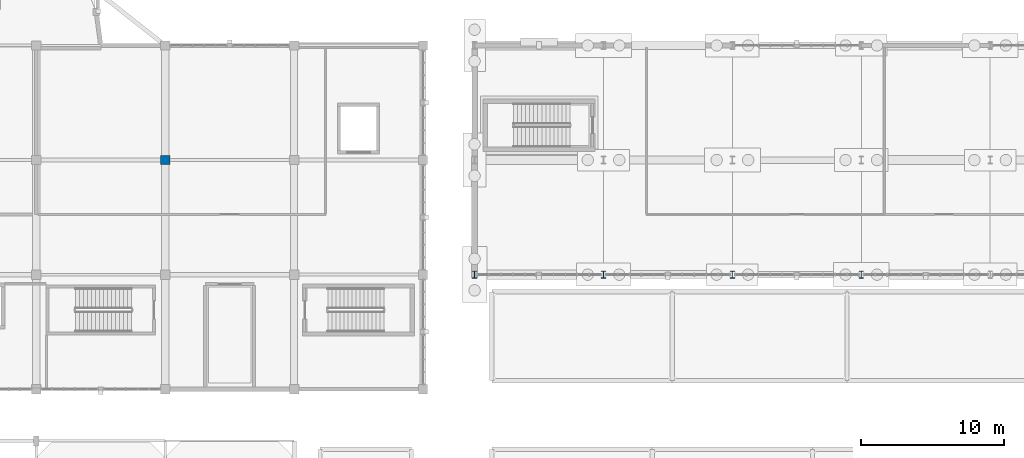
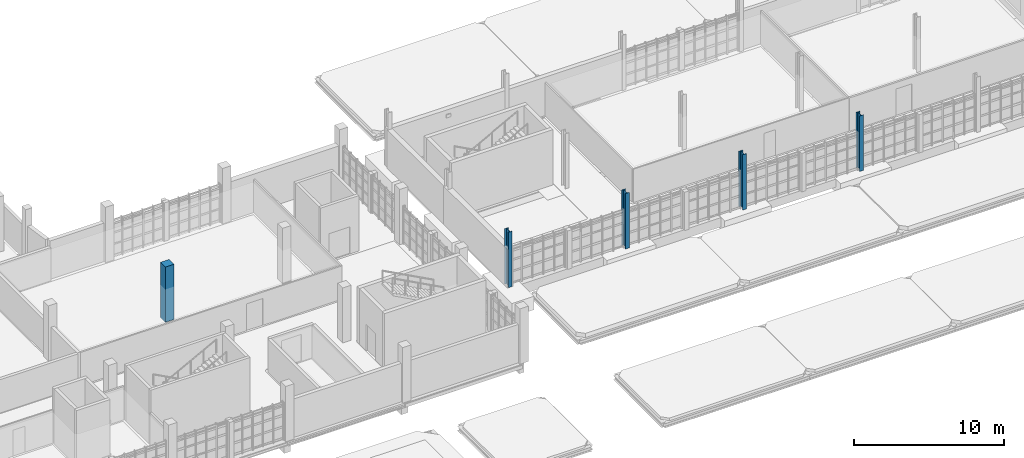
# One storey, part 6 of 125: 5 columns.
"""IFC4 building model written with IfcOpenShell, lengths in metres."""

import ifcopenshell
import ifcopenshell.guid

model = None  # the IFC model being written
_history = None  # IfcOwnerHistory: only IFC2X3 demands one
_inside = {}  # id of a spatial element -> (the spatial element, [elements in it])
_under = {}  # id of a project, library or spatial element -> (it, [spatial elements below it])
_declared = {}  # id of a project -> (the project, [libraries it declares])
_typed = {}  # id of a type object -> (the type object, [elements of that type])
_made_of = {}  # id of a material, layer set ... -> (it, [elements and type objects made of it])


def new_model(schema):
    """Start an empty IFC model of exactly this schema.

    Asked for "IFC4X3", IfcOpenShell would pick the latest addendum, in which some entities
    have other attributes; the version numbers below select the first issue.
    IFC2X3 requires an IfcOwnerHistory on every rooted entity: one is made here for all.
    """
    global model, _history
    if schema == "IFC4X3":
        model = ifcopenshell.file(schema_version=(4, 3, 0, 0))
    else:
        model = ifcopenshell.file(schema=schema)
    _inside.clear()
    _under.clear()
    _declared.clear()
    _typed.clear()
    _made_of.clear()
    _history = None
    if model.schema == "IFC2X3":
        org = make("IfcOrganization", Name="unknown")
        user = make(
            "IfcPersonAndOrganization",
            ThePerson=make("IfcPerson", FamilyName="unknown"),
            TheOrganization=org,
        )
        app = make(
            "IfcApplication",
            ApplicationDeveloper=org,
            Version="unknown",
            ApplicationFullName="unknown",
            ApplicationIdentifier="unknown",
        )
        _history = make(
            "IfcOwnerHistory",
            OwningUser=user,
            OwningApplication=app,
            ChangeAction="ADDED",
            CreationDate=0,
        )
    return model


def make(cls, **values):
    """One entity of the class cls with the attributes given. An attribute that is None is left unset."""
    return model.create_entity(
        cls, **{name: value for name, value in values.items() if value is not None}
    )


def rooted(cls, **values):
    """An entity with a GlobalId (a new one), such as an element, a storey or a relation."""
    return make(cls, GlobalId=ifcopenshell.guid.new(), OwnerHistory=_history, **values)


def si_unit(unit_type, name, prefix=None):
    """IfcSIUnit, for example si_unit("LENGTHUNIT", "METRE", prefix="MILLI")."""
    return make("IfcSIUnit", UnitType=unit_type, Prefix=prefix, Name=name)


def assignment(units):
    """IfcUnitAssignment: the units of a project."""
    return None if units is None else make("IfcUnitAssignment", Units=units)


def point(xyz):
    """IfcCartesianPoint."""
    return None if xyz is None else make("IfcCartesianPoint", Coordinates=xyz)


def direction(xyz):
    """IfcDirection."""
    return None if xyz is None else make("IfcDirection", DirectionRatios=xyz)


def frame(location, z_axis=None, x_axis=None):
    """IfcAxis2Placement3D, a coordinate frame: its origin and axes. An axis left out is left unset."""
    return make(
        "IfcAxis2Placement3D",
        Location=point(location),
        Axis=direction(z_axis),
        RefDirection=direction(x_axis),
    )


def frame_2d(location, x_axis=None):
    """IfcAxis2Placement2D, a coordinate frame in the plane: its origin and x axis."""
    return make(
        "IfcAxis2Placement2D", Location=point(location), RefDirection=direction(x_axis)
    )


def origin():
    """The frame at (0, 0, 0) with its axes left unset."""
    return frame((0.0, 0.0, 0.0))


def origin_2d():
    """The frame at (0, 0) in the plane with its x axis left unset."""
    return frame_2d((0.0, 0.0))


def place(relative_to, where):
    """IfcLocalPlacement: puts the frame where relative to a parent placement (None: the world)."""
    return make(
        "IfcLocalPlacement", PlacementRelTo=relative_to, RelativePlacement=where
    )


def context(
    kind, dimensions, precision=None, world=None, true_north=None, identifier=None
):
    """IfcGeometricRepresentationContext, for example the 3D "Model" context."""
    return make(
        "IfcGeometricRepresentationContext",
        ContextIdentifier=identifier,
        ContextType=kind,
        CoordinateSpaceDimension=dimensions,
        Precision=precision,
        WorldCoordinateSystem=world,
        TrueNorth=true_north,
    )


def subcontext(parent, identifier, kind, view, scale=None):
    """IfcGeometricRepresentationSubContext, for example "Body" below "Model"."""
    return make(
        "IfcGeometricRepresentationSubContext",
        ContextIdentifier=identifier,
        ContextType=kind,
        ParentContext=parent,
        TargetScale=scale,
        TargetView=view,
    )


def project(units=None, contexts=None):
    """IfcProject with its units and contexts."""
    return rooted(
        "IfcProject",
        Name="project",
        RepresentationContexts=contexts,
        UnitsInContext=assignment(units),
    )


def spatial(cls, under=None, at=None, **own):
    """A site, building, storey or space (cls), placed at a placement, below another one or the project."""
    s = rooted(cls, ObjectPlacement=at, **own)
    if under is not None:
        _under.setdefault(under.id(), (under, []))[1].append(s)
    return s


def profile(cls, at=None, kind="AREA", **sizes):
    """A parametric profile (cls). Its sizes go by their IFC names, for example OverallWidth=200.0."""
    return make(cls, ProfileType=kind, Position=at, **sizes)


def rectangle(**sizes):
    """IfcRectangleProfileDef."""
    return profile("IfcRectangleProfileDef", **sizes)


def i_section(**sizes):
    """IfcIShapeProfileDef."""
    return profile("IfcIShapeProfileDef", **sizes)


def extrude(swept, where, along, depth):
    """IfcExtrudedAreaSolid: the profile swept, set in the frame where, extruded along a direction by depth."""
    return make(
        "IfcExtrudedAreaSolid",
        SweptArea=swept,
        Position=where,
        ExtrudedDirection=direction(along),
        Depth=depth,
    )


def shape(context_of_items, identifier, shape_type, items):
    """IfcShapeRepresentation: the items that make up one representation, for example the "Body"."""
    return make(
        "IfcShapeRepresentation",
        ContextOfItems=context_of_items,
        RepresentationIdentifier=identifier,
        RepresentationType=shape_type,
        Items=items,
    )


def material(Name=None, Category=None):
    """IfcMaterial."""
    return make("IfcMaterial", Name=Name, Category=Category)


def material_profile(
    of_material, cross_section, Name=None, Category=None, Priority=None
):
    """IfcMaterialProfile: a cross section and its material."""
    return make(
        "IfcMaterialProfile",
        Name=Name,
        Material=of_material,
        Profile=cross_section,
        Priority=Priority,
        Category=Category,
    )


def profile_set(profiles, Name=None, composite=None):
    """IfcMaterialProfileSet."""
    return make(
        "IfcMaterialProfileSet",
        Name=Name,
        MaterialProfiles=profiles,
        CompositeProfile=composite,
    )


def made_of(thing, what):
    """Note that an element or type object is made of a material, layer set ...; save() writes the relation."""
    if what is not None:
        _made_of.setdefault(what.id(), (what, []))[1].append(thing)
    return thing


def type_object(cls, material=None, **own):
    """A type object (cls), such as IfcWallType, which elements share."""
    return made_of(rooted(cls, **own), material)


def element(
    cls,
    number,
    at=None,
    inside=None,
    cuts=None,
    type_object=None,
    material=None,
    context=None,
    identifier="Body",
    shape_type=None,
    held_by="IfcProductDefinitionShape",
    body=None,
    shapes=None,
    **own,
):
    """One element of the class cls, such as IfcWall. Its Tag is "e" and its number.

    at: its placement. inside: the storey or other place that contains it. cuts: it is an
    opening in that element (IfcRelVoidsElement). A single representation is given by context,
    identifier, shape_type and body (its items); several are given by shapes. held_by: the class
    of the entity that holds the representations. save() writes the other relations.
    """
    e = rooted(cls, Tag="e%d" % number, ObjectPlacement=at, **own)
    if body is not None:
        shapes = [shape(context, identifier, shape_type, body)]
    if shapes is not None:
        e.Representation = make(held_by, Representations=shapes)
    if inside is not None:
        _inside.setdefault(inside.id(), (inside, []))[1].append(e)
    if cuts is not None:
        rooted(
            "IfcRelVoidsElement", RelatingBuildingElement=cuts, RelatedOpeningElement=e
        )
    if type_object is not None:
        _typed.setdefault(type_object.id(), (type_object, []))[1].append(e)
    return made_of(e, material)


def aggregate(whole, parts):
    """IfcRelAggregates: a whole, such as a stair, and the parts it consists of."""
    return rooted("IfcRelAggregates", RelatingObject=whole, RelatedObjects=parts)


def save(model, path):
    """Write the relations noted so far, then the file.

    IfcRelAggregates (storeys below a building ...), IfcRelContainedInSpatialStructure (elements
    in a storey), IfcRelDefinesByType, IfcRelAssociatesMaterial and IfcRelDeclares: one each for
    every whole, place, type object, material and project.
    """
    for whole, parts in _under.values():
        aggregate(whole, parts)
    for where, things in _inside.values():
        rooted(
            "IfcRelContainedInSpatialStructure",
            RelatedElements=things,
            RelatingStructure=where,
        )
    for kind, things in _typed.values():
        rooted("IfcRelDefinesByType", RelatedObjects=things, RelatingType=kind)
    for what, things in _made_of.values():
        rooted("IfcRelAssociatesMaterial", RelatedObjects=things, RelatingMaterial=what)
    for by, libraries in _declared.values():
        rooted("IfcRelDeclares", RelatingContext=by, RelatedDefinitions=libraries)
    model.write(path)


model = new_model("IFC4")

# Units and contexts
model_context = context("Model", 3, precision=1e-05, world=origin(), true_north=direction((0.0, 1.0)))
body_context = subcontext(model_context, "Body", "Model", "MODEL_VIEW")
ifc_project = project(units=[si_unit("LENGTHUNIT", "METRE"), si_unit("AREAUNIT", "SQUARE_METRE"), si_unit("VOLUMEUNIT", "CUBIC_METRE"), si_unit("PLANEANGLEUNIT", "RADIAN"), si_unit("MASSUNIT", "GRAM", prefix="KILO")], contexts=[model_context])

# Site, building, storey
site_placement = place(None, origin())
site = spatial("IfcSite", under=ifc_project, at=site_placement, CompositionType="ELEMENT")
building_placement = place(site_placement, origin())
building = spatial("IfcBuilding", under=site, at=building_placement, Name="Serraforn Aerial Cableway Station", CompositionType="ELEMENT")
storey_placement = place(building_placement, frame((0.0, 0.0, 4.5)))
storey = spatial("IfcBuildingStorey", under=building, at=storey_placement, Name="L01", CompositionType="ELEMENT", Elevation=4.5)

# Columns
ifc_material_1 = material(Name="Concrete C35/45", Category="concrete")
ifc_material_profile_1 = material_profile(ifc_material_1, rectangle(XDim=0.64990234375, YDim=0.64990234375, at=origin_2d()), Name="RC 650x650")
ifc_profile_set_1 = profile_set([ifc_material_profile_1], Name="Concrete C35/45")
column_type_1 = type_object("IfcColumnType", Name="COL-RC-650", PredefinedType="COLUMN", material=ifc_profile_set_1)
column_placement = place(storey_placement, frame((72.60009765625, 34.0, 0.0), z_axis=(0.0, 0.0, 1.0), x_axis=(1.0, 0.0, 0.0)))
element("IfcColumn", 1, at=column_placement, inside=storey, type_object=column_type_1, Name="Column CV L01 10-D2", PredefinedType="COLUMN", context=body_context, shape_type="SweptSolid", body=[
    extrude(rectangle(XDim=0.64990234375, YDim=0.64990234375, at=origin_2d()), origin(), (0.0, 0.0, 1.0), 4.5),
])
ifc_material_2 = material(Name="Steel S355J2", Category="steel")
ifc_material_profile_2 = material_profile(ifc_material_2, i_section(OverallWidth=0.300048828125, OverallDepth=0.5, WebThickness=0.011962890625, FlangeThickness=0.02294921875, FilletRadius=0.027099609375, at=origin_2d()), Name="HEA 500")
ifc_profile_set_2 = profile_set([ifc_material_profile_2], Name="Steel S355J2")
column_type_2 = type_object("IfcColumnType", Name="COL-ST-HEA500", PredefinedType="COLUMN", material=ifc_profile_set_2)
for number, where, z_axis, x_axis, name in (
    (2, (94.199951171875, 26.0, 0.0), (0.0, 0.0, 1.0), (1.0, 0.0, 0.0), "Column EL L01 13-D1"),
    (3, (103.199951171875, 26.0, 0.0), (0.0, 0.0, 1.0), (1.0, 0.0, 0.0), "Column EL L01 14-D1"),
    (4, (112.199951171875, 26.0, 0.0), (0.0, 0.0, 1.0), (1.0, 0.0, 0.0), "Column EL L01 15-D1"),
    (5, (121.199951171875, 26.0, 0.0), (0.0, 0.0, 1.0), (1.0, 0.0, 0.0), "Column EL L01 16-D1"),
):
    element("IfcColumn", number, at=place(storey_placement, frame(where, z_axis=z_axis, x_axis=x_axis)), inside=storey, type_object=column_type_2, Name=name, PredefinedType="COLUMN", context=body_context, shape_type="SweptSolid", body=[
        extrude(i_section(OverallWidth=0.300048828125, OverallDepth=0.5, WebThickness=0.011962890625, FlangeThickness=0.02294921875, FilletRadius=0.027099609375, at=origin_2d()), origin(), (0.0, 0.0, 1.0), 4.5),
    ])

save(model, "model.ifc")
